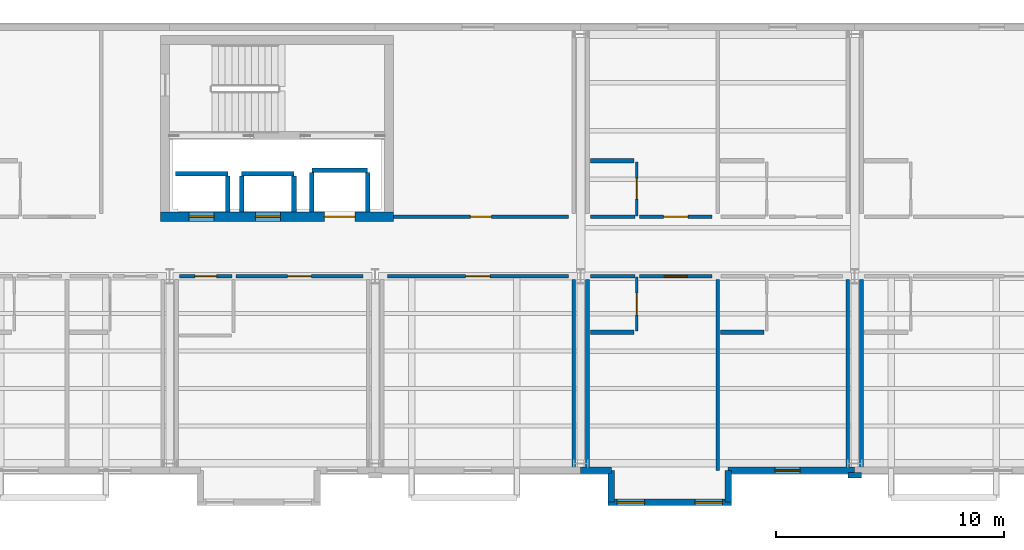
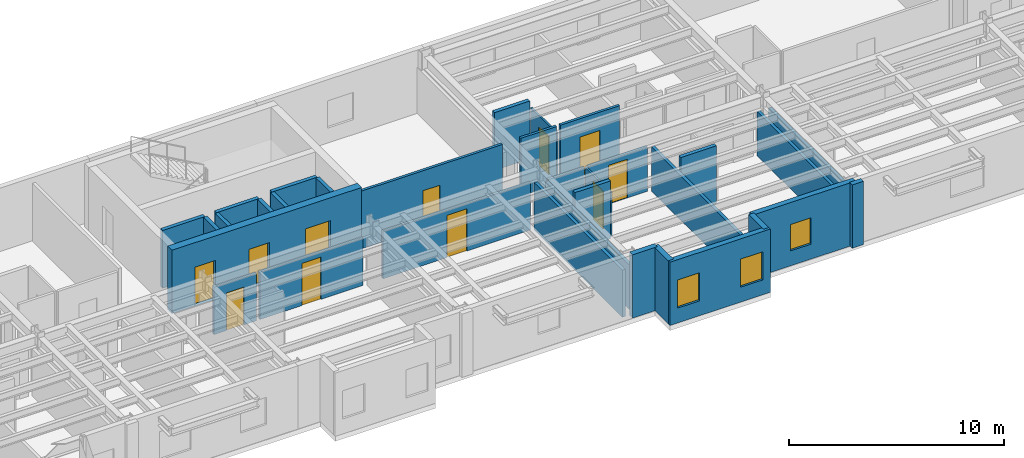
# One storey, part 16 of 27: 33 walls, 11 doors, 3 windows, 14 openings.
"""IFC4 building model written with IfcOpenShell, lengths in metres."""

from ifc_helpers import new_model, si_unit, direction, frame, frame_2d, origin, place, context, subcontext, project, spatial, rectangle, extrude, material, layer, layer_set, type_object, element, fill, save


model = new_model("IFC4")

# Units and contexts
model_context = context("Model", 3, precision=1e-05, world=origin(), true_north=direction((0.0, 1.0)))
body_context = subcontext(model_context, "Body", "Model", "MODEL_VIEW")
ifc_project = project(units=[si_unit("LENGTHUNIT", "METRE"), si_unit("AREAUNIT", "SQUARE_METRE"), si_unit("VOLUMEUNIT", "CUBIC_METRE"), si_unit("PLANEANGLEUNIT", "RADIAN"), si_unit("MASSUNIT", "GRAM", prefix="KILO")], contexts=[model_context])

# Site, building, storey
site_placement = place(None, origin())
site = spatial("IfcSite", under=ifc_project, at=site_placement, CompositionType="ELEMENT")
building_placement = place(site_placement, origin())
building = spatial("IfcBuilding", under=site, at=building_placement, Name="Sollismere Congress Hotel", CompositionType="ELEMENT")
storey_placement = place(building_placement, frame((0.0, 0.0, 27.0)))
storey = spatial("IfcBuildingStorey", under=building, at=storey_placement, Name="L06", CompositionType="ELEMENT", Elevation=27.0)

# Wall
ifc_material_1 = material(Name="Colorado Buff Sandstone Rainscreen on Insulated Backup", Category="masonry")
ifc_layer_1 = layer(ifc_material_1, 0.284912109375, Name="Colorado Buff Sandstone Rainscreen on Insulated Backup")
ifc_layer_set_1 = layer_set([ifc_layer_1], Name="Colorado Buff Sandstone Rainscreen on Insulated Backup")
wall_type_1 = type_object("IfcWallType", Name="WL-EXT285", PredefinedType="STANDARD", material=ifc_layer_set_1)
wall_1_placement = place(storey_placement, frame((112.0, -0.31005859375, 0.0), z_axis=(0.0, 0.0, 1.0), x_axis=(1.0, 0.0, 0.0)))
element("IfcWall", 1, at=wall_1_placement, inside=storey, type_object=wall_type_1, Name="Exterior wall EW-L06-678", PredefinedType="STANDARD", context=body_context, shape_type="SweptSolid", body=[
    extrude(rectangle(XDim=1.340087890625, YDim=0.284912109375, at=frame_2d((0.669921875, 0.0))), origin(), (0.0, 0.0, 1.0), 3.60009765625),
])

# Wall, opening, window
wall_2_placement = place(storey_placement, frame((118.4599609375, -0.31005859375, 0.0), z_axis=(0.0, 0.0, 1.0), x_axis=(1.0, 0.0, 0.0)))
wall_2 = element("IfcWall", 2, at=wall_2_placement, inside=storey, type_object=wall_type_1, Name="Exterior wall EW-L06-679", PredefinedType="STANDARD", context=body_context, shape_type="SweptSolid", body=[
    extrude(rectangle(XDim=5.5400390625, YDim=0.284912109375, at=frame_2d((2.77001953125, 0.0))), origin(), (0.0, 0.0, 1.0), 3.60009765625),
])
opening_1_placement = place(wall_2_placement, frame((2.044921875, 0.0, 0.85009765625)))
opening_1 = element("IfcOpeningElement", 3, at=opening_1_placement, cuts=wall_2, Name="Opening W-L06-502", PredefinedType="OPENING", context=body_context, shape_type="SweptSolid", body=[
    extrude(rectangle(XDim=1.10009765625, YDim=1.5, at=frame_2d((0.550048828125, 0.75))), frame((0.0, 0.15234375, 0.0), z_axis=(0.0, -1.0, 0.0), x_axis=(1.0, 0.0, 0.0)), (0.0, 0.0, 1.0), 0.304931640625),
])
ifc_material_2 = material(Name="Thermally Broken Bronze Aluminum & Low-E Glass", Category="aluminium")
window_type_1 = type_object("IfcWindowType", Name="WN-P110x150", PartitioningType="SINGLE_PANEL", PredefinedType="WINDOW", material=ifc_material_2)
window_1_placement = place(opening_1_placement, origin())
window_1 = element("IfcWindow", 4, at=window_1_placement, inside=storey, type_object=window_type_1, Name="WIN-W-L06-502", OverallHeight=1.5, OverallWidth=1.10009765625, PartitioningType="SINGLE_PANEL", PredefinedType="WINDOW", context=body_context, shape_type="SweptSolid", body=[
    extrude(rectangle(XDim=1.10009765625, YDim=1.5, at=frame_2d((0.550048828125, 0.75))), frame((0.0, 0.030029296875, 0.0), z_axis=(0.0, -1.0, 0.0), x_axis=(1.0, 0.0, 0.0)), (0.0, 0.0, 1.0), 0.06005859375),
])
fill(opening_1, window_1)

# Wall, openings, windows
wall_3_placement = place(storey_placement, frame((113.199951171875, -1.699951171875, 0.0), z_axis=(0.0, 0.0, 1.0), x_axis=(1.0, 0.0, 0.0)))
wall_3 = element("IfcWall", 5, at=wall_3_placement, inside=storey, type_object=wall_type_1, Name="Exterior wall EW-L06-680", PredefinedType="STANDARD", context=body_context, shape_type="SweptSolid", body=[
    extrude(rectangle(XDim=5.400146484375, YDim=0.284912109375, at=frame_2d((2.7001953125, 0.0))), origin(), (0.0, 0.0, 1.0), 3.60009765625),
])
opening_2_placement = place(wall_3_placement, frame((0.39990234375, 0.0, 0.85009765625)))
opening_2 = element("IfcOpeningElement", 6, at=opening_2_placement, cuts=wall_3, Name="Opening W-L06-503", PredefinedType="OPENING", context=body_context, shape_type="SweptSolid", body=[
    extrude(rectangle(XDim=1.199951171875, YDim=1.60009765625, at=frame_2d((0.60009765625, 0.800048828125))), frame((0.0, 0.15234375, 0.0), z_axis=(0.0, -1.0, 0.0), x_axis=(1.0, 0.0, 0.0)), (0.0, 0.0, 1.0), 0.304931640625),
])
opening_3_placement = place(wall_3_placement, frame((3.800048828125, 0.0, 0.85009765625)))
opening_3 = element("IfcOpeningElement", 7, at=opening_3_placement, cuts=wall_3, Name="Opening W-L06-504", PredefinedType="OPENING", context=body_context, shape_type="SweptSolid", body=[
    extrude(rectangle(XDim=1.199951171875, YDim=1.60009765625, at=frame_2d((0.60009765625, 0.800048828125))), frame((0.0, 0.15234375, 0.0), z_axis=(0.0, -1.0, 0.0), x_axis=(1.0, 0.0, 0.0)), (0.0, 0.0, 1.0), 0.304931640625),
])
window_type_2 = type_object("IfcWindowType", Name="WN-P120x160", PartitioningType="SINGLE_PANEL", PredefinedType="WINDOW", material=ifc_material_2)
window_2_placement = place(opening_2_placement, origin())
window_2 = element("IfcWindow", 8, at=window_2_placement, inside=storey, type_object=window_type_2, Name="WIN-W-L06-503", OverallHeight=1.60009765625, OverallWidth=1.199951171875, PartitioningType="SINGLE_PANEL", PredefinedType="WINDOW", context=body_context, shape_type="SweptSolid", body=[
    extrude(rectangle(XDim=1.199951171875, YDim=1.60009765625, at=frame_2d((0.60009765625, 0.800048828125))), frame((0.0, 0.030029296875, 0.0), z_axis=(0.0, -1.0, 0.0), x_axis=(1.0, 0.0, 0.0)), (0.0, 0.0, 1.0), 0.06005859375),
])
fill(opening_2, window_2)
window_3_placement = place(opening_3_placement, origin())
window_3 = element("IfcWindow", 9, at=window_3_placement, inside=storey, type_object=window_type_2, Name="WIN-W-L06-504", OverallHeight=1.60009765625, OverallWidth=1.199951171875, PartitioningType="SINGLE_PANEL", PredefinedType="WINDOW", context=body_context, shape_type="SweptSolid", body=[
    extrude(rectangle(XDim=1.199951171875, YDim=1.60009765625, at=frame_2d((0.60009765625, 0.800048828125))), frame((0.0, 0.030029296875, 0.0), z_axis=(0.0, -1.0, 0.0), x_axis=(1.0, 0.0, 0.0)), (0.0, 0.0, 1.0), 0.06005859375),
])
fill(opening_3, window_3)

# Walls
for number, where, z_axis, x_axis, name in (
    (10, (113.340087890625, -0.31005859375, 0.0), (0.0, 0.0, 1.0), (0.0, -1.0, 0.0), "Exterior wall EW-L06-681"),
    (11, (118.4599609375, -1.699951171875, 0.0), (0.0, 0.0, 1.0), (0.0, 1.0, 0.0), "Exterior wall EW-L06-682"),
):
    element("IfcWall", number, at=place(storey_placement, frame(where, z_axis=z_axis, x_axis=x_axis)), inside=storey, type_object=wall_type_1, Name=name, PredefinedType="STANDARD", context=body_context, shape_type="SweptSolid", body=[
        extrude(rectangle(XDim=1.389892578125, YDim=0.284912109375, at=frame_2d((0.69482421875, 0.0))), origin(), (0.0, 0.0, 1.0), 3.60009765625),
    ])
ifc_material_3 = material(Name="Carved Travertine Pilaster & Frieze Assembly", Category="masonry")
ifc_layer_2 = layer(ifc_material_3, 0.260009765625, Name="Carved Travertine Pilaster & Frieze Assembly")
ifc_layer_set_2 = layer_set([ifc_layer_2], Name="Carved Travertine Pilaster & Frieze Assembly")
wall_type_2 = type_object("IfcWallType", Name="WL-PIL280", PredefinedType="ELEMENTEDWALL", material=ifc_layer_set_2)
wall_4_placement = place(storey_placement, frame((123.699951171875, -0.52001953125, 0.0), z_axis=(0.0, 0.0, 1.0), x_axis=(1.0, 0.0, 0.0)))
element("IfcWall", 12, at=wall_4_placement, inside=storey, type_object=wall_type_2, Name="Exterior wall EW-L06-684", PredefinedType="ELEMENTEDWALL", context=body_context, shape_type="SweptSolid", body=[
    extrude(rectangle(XDim=0.60009765625, YDim=0.260009765625, at=frame_2d((0.300048828125, 0.0))), origin(), (0.0, 0.0, 1.0), 3.60009765625),
])
ifc_material_4 = material(Name="Moisture-Resistant Shaft Gypsum Assembly")
ifc_layer_3 = layer(ifc_material_4, 0.199951171875, Name="Moisture-Resistant Shaft Gypsum Assembly")
ifc_layer_set_3 = layer_set([ifc_layer_3], Name="Moisture-Resistant Shaft Gypsum Assembly")
wall_type_3 = type_object("IfcWallType", Name="WL-PLM200", PredefinedType="PLUMBINGWALL", material=ifc_layer_set_3)
wall_5_placement = place(storey_placement, frame((94.2548828125, 12.68994140625, 0.0), z_axis=(0.0, 0.0, 1.0), x_axis=(1.0, 0.0, 0.0)))
element("IfcWall", 13, at=wall_5_placement, inside=storey, type_object=wall_type_3, Name="Interior wall IW-L06-0305", PredefinedType="PLUMBINGWALL", context=body_context, shape_type="SweptSolid", body=[
    extrude(rectangle(XDim=2.2900390625, YDim=0.199951171875, at=frame_2d((1.14501953125, 0.0))), origin(), (0.0, 0.0, 1.0), 3.2900390625),
])
wall_6_placement = place(storey_placement, frame((96.544921875, 11.011962890625, 0.0), z_axis=(0.0, 0.0, 1.0), x_axis=(0.0, 1.0, 0.0)))
element("IfcWall", 14, at=wall_6_placement, inside=storey, type_object=wall_type_3, Name="Interior wall IW-L06-0306", PredefinedType="PLUMBINGWALL", context=body_context, shape_type="SweptSolid", body=[
    extrude(rectangle(XDim=1.56591796875, YDim=0.199951171875, at=frame_2d((0.782958984375, 0.0))), origin(), (0.0, 0.0, 1.0), 3.2900390625),
])
wall_7_placement = place(storey_placement, frame((97.155029296875, 12.68994140625, 0.0), z_axis=(0.0, 0.0, 1.0), x_axis=(1.0, 0.0, 0.0)))
element("IfcWall", 15, at=wall_7_placement, inside=storey, type_object=wall_type_3, Name="Interior wall IW-L06-0307", PredefinedType="PLUMBINGWALL", context=body_context, shape_type="SweptSolid", body=[
    extrude(rectangle(XDim=2.2900390625, YDim=0.199951171875, at=frame_2d((1.14501953125, 0.0))), origin(), (0.0, 0.0, 1.0), 3.2900390625),
])
for number, where, z_axis, x_axis, name in (
    (16, (97.155029296875, 11.011962890625, 0.0), (0.0, 0.0, 1.0), (0.0, 1.0, 0.0), "Interior wall IW-L06-0308"),
    (17, (99.445068359375, 11.011962890625, 0.0), (0.0, 0.0, 1.0), (0.0, 1.0, 0.0), "Interior wall IW-L06-0309"),
):
    element("IfcWall", number, at=place(storey_placement, frame(where, z_axis=z_axis, x_axis=x_axis)), inside=storey, type_object=wall_type_3, Name=name, PredefinedType="PLUMBINGWALL", context=body_context, shape_type="SweptSolid", body=[
        extrude(rectangle(XDim=1.56591796875, YDim=0.199951171875, at=frame_2d((0.782958984375, 0.0))), origin(), (0.0, 0.0, 1.0), 3.2900390625),
    ])
wall_8_placement = place(storey_placement, frame((100.22998046875, 12.844970703125, 0.0), z_axis=(0.0, 0.0, 1.0), x_axis=(1.0, 0.0, 0.0)))
element("IfcWall", 18, at=wall_8_placement, inside=storey, type_object=wall_type_3, Name="Interior wall IW-L06-0310", PredefinedType="PLUMBINGWALL", context=body_context, shape_type="SweptSolid", body=[
    extrude(rectangle(XDim=2.43994140625, YDim=0.199951171875, at=frame_2d((1.219970703125, 0.0))), origin(), (0.0, 0.0, 1.0), 3.2900390625),
])
for number, where, z_axis, x_axis, name in (
    (19, (100.22998046875, 11.011962890625, 0.0), (0.0, 0.0, 1.0), (0.0, 1.0, 0.0), "Interior wall IW-L06-0311"),
    (20, (102.669921875, 11.011962890625, 0.0), (0.0, 0.0, 1.0), (0.0, 1.0, 0.0), "Interior wall IW-L06-0312"),
):
    element("IfcWall", number, at=place(storey_placement, frame(where, z_axis=z_axis, x_axis=x_axis)), inside=storey, type_object=wall_type_3, Name=name, PredefinedType="PLUMBINGWALL", context=body_context, shape_type="SweptSolid", body=[
        extrude(rectangle(XDim=1.720947265625, YDim=0.199951171875, at=frame_2d((0.8603515625, 0.0))), origin(), (0.0, 0.0, 1.0), 3.2900390625),
    ])
wall_9_placement = place(storey_placement, frame((112.419921875, 5.75, 0.0), z_axis=(0.0, 0.0, 1.0), x_axis=(1.0, 0.0, 0.0)))
element("IfcWall", 21, at=wall_9_placement, inside=storey, type_object=wall_type_3, Name="Interior wall IW-L06-2083", PredefinedType="PLUMBINGWALL", context=body_context, shape_type="SweptSolid", body=[
    extrude(rectangle(XDim=1.91015625, YDim=0.199951171875, at=frame_2d((0.955078125, 0.0))), origin(), (0.0, 0.0, 1.0), 3.2900390625),
])
wall_10_placement = place(storey_placement, frame((118.1201171875, 5.75, 0.0), z_axis=(0.0, 0.0, 1.0), x_axis=(1.0, 0.0, 0.0)))
element("IfcWall", 22, at=wall_10_placement, inside=storey, type_object=wall_type_3, Name="Interior wall IW-L06-2088", PredefinedType="PLUMBINGWALL", context=body_context, shape_type="SweptSolid", body=[
    extrude(rectangle(XDim=1.909912109375, YDim=0.199951171875, at=frame_2d((0.955078125, 0.0))), origin(), (0.0, 0.0, 1.0), 3.2900390625),
])
wall_11_placement = place(storey_placement, frame((112.419921875, 13.25, 0.0), z_axis=(0.0, 0.0, 1.0), x_axis=(1.0, 0.0, 0.0)))
element("IfcWall", 23, at=wall_11_placement, inside=storey, type_object=wall_type_3, Name="Interior wall IW-L06-2094", PredefinedType="PLUMBINGWALL", context=body_context, shape_type="SweptSolid", body=[
    extrude(rectangle(XDim=1.91015625, YDim=0.199951171875, at=frame_2d((0.955078125, 0.0))), origin(), (0.0, 0.0, 1.0), 3.2900390625),
])

# Wall, opening, door
ifc_material_5 = material(Name="Moisture-Resistant Gypsum Partition")
ifc_layer_4 = layer(ifc_material_5, 0.10009765625, Name="Moisture-Resistant Gypsum Partition")
ifc_layer_set_4 = layer_set([ifc_layer_4], Name="Moisture-Resistant Gypsum Partition")
wall_type_4 = type_object("IfcWallType", Name="WL-PRT100", PredefinedType="PARTITIONING", material=ifc_layer_set_4)
wall_12_placement = place(storey_placement, frame((114.449951171875, 5.7900390625, 0.0), z_axis=(0.0, 0.0, 1.0), x_axis=(0.0, 1.0, 0.0)))
wall_12 = element("IfcWall", 24, at=wall_12_placement, inside=storey, type_object=wall_type_4, Name="Interior wall IW-L06-2082", PredefinedType="PARTITIONING", context=body_context, shape_type="SweptSolid", body=[
    extrude(rectangle(XDim=2.369873046875, YDim=0.10009765625, at=frame_2d((1.18505859375, 0.0))), origin(), (0.0, 0.0, 1.0), 2.528076171875),
])
opening_4_placement = place(wall_12_placement, frame((0.7080078125, 0.0, 0.0)))
opening_4 = element("IfcOpeningElement", 25, at=opening_4_placement, cuts=wall_12, Name="Opening D-L06-0735", PredefinedType="OPENING", context=body_context, shape_type="SweptSolid", body=[
    extrude(rectangle(XDim=0.955078125, YDim=2.139892578125, at=frame_2d((0.4775390625, 1.06982421875))), frame((0.0, 0.06005859375, 0.0), z_axis=(0.0, -1.0, 0.0), x_axis=(1.0, 0.0, 0.0)), (0.0, 0.0, 1.0), 0.1201171875),
])
ifc_material_6 = material(Name="Moisture-Sealed Timber Bathroom Door", Category="wood")
door_type_1 = type_object("IfcDoorType", Name="DR-BT04", OperationType="NOTDEFINED", PredefinedType="DOOR", material=ifc_material_6)
door_1_placement = place(opening_4_placement, origin())
door_1 = element("IfcDoor", 26, at=door_1_placement, inside=storey, type_object=door_type_1, Name="En-suite bathroom door D-L06-0735", OperationType="SINGLE_SWING_RIGHT", OverallHeight=2.139892578125, OverallWidth=0.955078125, PredefinedType="DOOR", context=body_context, shape_type="SweptSolid", body=[
    extrude(rectangle(XDim=0.955078125, YDim=2.139892578125, at=frame_2d((0.4775390625, 1.06982421875))), frame((0.0, 0.02490234375, 0.0), z_axis=(0.0, -1.0, 0.0), x_axis=(1.0, 0.0, 0.0)), (0.0, 0.0, 1.0), 0.050048828125),
])
fill(opening_4, door_1)

wall_13_placement = place(storey_placement, frame((114.449951171875, 10.840087890625, 0.0), z_axis=(0.0, 0.0, 1.0), x_axis=(0.0, 1.0, 0.0)))
wall_13 = element("IfcWall", 27, at=wall_13_placement, inside=storey, type_object=wall_type_4, Name="Interior wall IW-L06-2093", PredefinedType="PARTITIONING", context=body_context, shape_type="SweptSolid", body=[
    extrude(rectangle(XDim=2.369873046875, YDim=0.10009765625, at=frame_2d((1.18505859375, 0.0))), origin(), (0.0, 0.0, 1.0), 2.847900390625),
])
opening_5_placement = place(wall_13_placement, frame((0.73291015625, 0.0, 0.0)))
opening_5 = element("IfcOpeningElement", 28, at=opening_5_placement, cuts=wall_13, Name="Opening D-L06-0739", PredefinedType="OPENING", context=body_context, shape_type="SweptSolid", body=[
    extrude(rectangle(XDim=0.905029296875, YDim=2.179931640625, at=frame_2d((0.45263671875, 1.08984375))), frame((0.0, 0.06005859375, 0.0), z_axis=(0.0, -1.0, 0.0), x_axis=(1.0, 0.0, 0.0)), (0.0, 0.0, 1.0), 0.1201171875),
])
door_type_2 = type_object("IfcDoorType", Name="DR-BT06", OperationType="NOTDEFINED", PredefinedType="DOOR", material=ifc_material_6)
door_2_placement = place(opening_5_placement, origin())
door_2 = element("IfcDoor", 29, at=door_2_placement, inside=storey, type_object=door_type_2, Name="En-suite bathroom door D-L06-0739", OperationType="SINGLE_SWING_RIGHT", OverallHeight=2.179931640625, OverallWidth=0.905029296875, PredefinedType="DOOR", context=body_context, shape_type="SweptSolid", body=[
    extrude(rectangle(XDim=0.905029296875, YDim=2.179931640625, at=frame_2d((0.45263671875, 1.08984375))), frame((0.0, 0.02490234375, 0.0), z_axis=(0.0, -1.0, 0.0), x_axis=(1.0, 0.0, 0.0)), (0.0, 0.0, 1.0), 0.050048828125),
])
fill(opening_5, door_2)

# Wall
ifc_material_7 = material(Name="Fire-Rated Gypsum Partition")
ifc_layer_5 = layer(ifc_material_7, 0.139892578125, Name="Fire-Rated Gypsum Partition")
ifc_layer_set_5 = layer_set([ifc_layer_5], Name="Fire-Rated Gypsum Partition")
wall_type_5 = type_object("IfcWallType", Name="WL-PRT140R", PredefinedType="PARTITIONING", material=ifc_layer_set_5)
wall_14_placement = place(storey_placement, frame((112.43994140625, 8.199951171875, 0.0), z_axis=(0.0, 0.0, 1.0), x_axis=(1.0, 0.0, 0.0)))
element("IfcWall", 30, at=wall_14_placement, inside=storey, type_object=wall_type_5, Name="Interior wall IW-L06-2078", PredefinedType="PARTITIONING", context=body_context, shape_type="SweptSolid", body=[
    extrude(rectangle(XDim=1.93017578125, YDim=0.139892578125, at=frame_2d((0.965087890625, 0.0))), origin(), (0.0, 0.0, 1.0), 2.528076171875),
])

# Wall, opening, door
wall_15_placement = place(storey_placement, frame((114.570068359375, 8.199951171875, 0.0), z_axis=(0.0, 0.0, 1.0), x_axis=(1.0, 0.0, 0.0)))
wall_15 = element("IfcWall", 31, at=wall_15_placement, inside=storey, type_object=wall_type_5, Name="Interior wall IW-L06-2079", PredefinedType="PARTITIONING", context=body_context, shape_type="SweptSolid", body=[
    extrude(rectangle(XDim=3.18994140625, YDim=0.139892578125, at=frame_2d((1.594970703125, 0.0))), origin(), (0.0, 0.0, 1.0), 2.528076171875),
])
opening_6_placement = place(wall_15_placement, frame((1.090087890625, 0.0, 0.0)))
opening_6 = element("IfcOpeningElement", 32, at=opening_6_placement, cuts=wall_15, Name="Opening D-L06-0734", PredefinedType="OPENING", context=body_context, shape_type="SweptSolid", body=[
    extrude(rectangle(XDim=1.010009765625, YDim=2.199951171875, at=frame_2d((0.5048828125, 1.10009765625))), frame((0.0, 0.079833984375, 0.0), z_axis=(0.0, -1.0, 0.0), x_axis=(1.0, 0.0, 0.0)), (0.0, 0.0, 1.0), 0.159912109375),
])
ifc_material_8 = material(Name="Solid-Core Acoustic Walnut Guestroom Entry Door")
door_type_3 = type_object("IfcDoorType", Name="DR-KY04", OperationType="NOTDEFINED", PredefinedType="DOOR", material=ifc_material_8)
door_3_placement = place(opening_6_placement, origin())
door_3 = element("IfcDoor", 33, at=door_3_placement, inside=storey, type_object=door_type_3, Name="Hotel room entry door D-L06-0734", OperationType="SINGLE_SWING_LEFT", OverallHeight=2.199951171875, OverallWidth=1.010009765625, PredefinedType="DOOR", context=body_context, shape_type="SweptSolid", body=[
    extrude(rectangle(XDim=1.010009765625, YDim=2.199951171875, at=frame_2d((0.5048828125, 1.10009765625))), frame((0.0, 0.02490234375, 0.0), z_axis=(0.0, -1.0, 0.0), x_axis=(1.0, 0.0, 0.0)), (0.0, 0.0, 1.0), 0.050048828125),
])
fill(opening_6, door_3)

# Wall
wall_16_placement = place(storey_placement, frame((112.43994140625, 10.800048828125, 0.0), z_axis=(0.0, 0.0, 1.0), x_axis=(1.0, 0.0, 0.0)))
element("IfcWall", 34, at=wall_16_placement, inside=storey, type_object=wall_type_5, Name="Interior wall IW-L06-2089", PredefinedType="PARTITIONING", context=body_context, shape_type="SweptSolid", body=[
    extrude(rectangle(XDim=1.93017578125, YDim=0.139892578125, at=frame_2d((0.965087890625, 0.0))), origin(), (0.0, 0.0, 1.0), 3.2900390625),
])

# Wall, opening, door
wall_17_placement = place(storey_placement, frame((114.570068359375, 10.800048828125, 0.0), z_axis=(0.0, 0.0, 1.0), x_axis=(1.0, 0.0, 0.0)))
wall_17 = element("IfcWall", 35, at=wall_17_placement, inside=storey, type_object=wall_type_5, Name="Interior wall IW-L06-2090", PredefinedType="PARTITIONING", context=body_context, shape_type="SweptSolid", body=[
    extrude(rectangle(XDim=3.18994140625, YDim=0.139892578125, at=frame_2d((1.594970703125, 0.0))), origin(), (0.0, 0.0, 1.0), 3.2900390625),
])
opening_7_placement = place(wall_17_placement, frame((1.06005859375, 0.0, 0.0)))
opening_7 = element("IfcOpeningElement", 36, at=opening_7_placement, cuts=wall_17, Name="Opening D-L06-0738", PredefinedType="OPENING", context=body_context, shape_type="SweptSolid", body=[
    extrude(rectangle(XDim=1.070068359375, YDim=2.25, at=frame_2d((0.53515625, 1.125))), frame((0.0, 0.079833984375, 0.0), z_axis=(0.0, -1.0, 0.0), x_axis=(1.0, 0.0, 0.0)), (0.0, 0.0, 1.0), 0.159912109375),
])
door_type_4 = type_object("IfcDoorType", Name="DR-KY06", OperationType="NOTDEFINED", PredefinedType="DOOR", material=ifc_material_8)
door_4_placement = place(opening_7_placement, origin())
door_4 = element("IfcDoor", 37, at=door_4_placement, inside=storey, type_object=door_type_4, Name="Hotel room entry door D-L06-0738", OperationType="SINGLE_SWING_LEFT", OverallHeight=2.25, OverallWidth=1.070068359375, PredefinedType="DOOR", context=body_context, shape_type="SweptSolid", body=[
    extrude(rectangle(XDim=1.070068359375, YDim=2.25, at=frame_2d((0.53515625, 1.125))), frame((0.0, 0.02490234375, 0.0), z_axis=(0.0, -1.0, 0.0), x_axis=(1.0, 0.0, 0.0)), (0.0, 0.0, 1.0), 0.050048828125),
])
fill(opening_7, door_4)

wall_18_placement = place(storey_placement, frame((94.43994140625, 8.199951171875, 0.0), z_axis=(0.0, 0.0, 1.0), x_axis=(1.0, 0.0, 0.0)))
wall_18 = element("IfcWall", 38, at=wall_18_placement, inside=storey, type_object=wall_type_5, Name="Interior wall IW-L06-2188", PredefinedType="PARTITIONING", context=body_context, shape_type="SweptSolid", body=[
    extrude(rectangle(XDim=2.280029296875, YDim=0.139892578125, at=frame_2d((1.14013671875, 0.0))), origin(), (0.0, 0.0, 1.0), 2.702880859375),
])
opening_8_placement = place(wall_18_placement, frame((0.659912109375, 0.0, 0.0)))
opening_8 = element("IfcOpeningElement", 39, at=opening_8_placement, cuts=wall_18, Name="Opening D-L06-0772", PredefinedType="OPENING", context=body_context, shape_type="SweptSolid", body=[
    extrude(rectangle(XDim=0.9599609375, YDim=2.14990234375, at=frame_2d((0.47998046875, 1.074951171875))), frame((0.0, 0.079833984375, 0.0), z_axis=(0.0, -1.0, 0.0), x_axis=(1.0, 0.0, 0.0)), (0.0, 0.0, 1.0), 0.159912109375),
])
ifc_material_9 = material(Name="Fire-Rated Accessible Restroom Door")
door_type_5 = type_object("IfcDoorType", Name="DR-AWC01", OperationType="NOTDEFINED", PredefinedType="DOOR", material=ifc_material_9)
door_5_placement = place(opening_8_placement, origin())
door_5 = element("IfcDoor", 40, at=door_5_placement, inside=storey, type_object=door_type_5, Name="Accessible restroom door D-L06-0772", OperationType="SINGLE_SWING_LEFT", OverallHeight=2.14990234375, OverallWidth=0.9599609375, PredefinedType="DOOR", context=body_context, shape_type="SweptSolid", body=[
    extrude(rectangle(XDim=0.9599609375, YDim=2.14990234375, at=frame_2d((0.47998046875, 1.074951171875))), frame((0.0, 0.02490234375, 0.0), z_axis=(0.0, -1.0, 0.0), x_axis=(1.0, 0.0, 0.0)), (0.0, 0.0, 1.0), 0.050048828125),
])
fill(opening_8, door_5)

wall_19_placement = place(storey_placement, frame((96.89990234375, 8.199951171875, 0.0), z_axis=(0.0, 0.0, 1.0), x_axis=(1.0, 0.0, 0.0)))
wall_19 = element("IfcWall", 41, at=wall_19_placement, inside=storey, type_object=wall_type_5, Name="Interior wall IW-L06-2191", PredefinedType="PARTITIONING", context=body_context, shape_type="SweptSolid", body=[
    extrude(rectangle(XDim=5.56005859375, YDim=0.139892578125, at=frame_2d((2.780029296875, 0.0))), origin(), (0.0, 0.0, 1.0), 2.702880859375),
])
opening_9_placement = place(wall_19_placement, frame((2.260009765625, 0.0, 0.0)))
opening_9 = element("IfcOpeningElement", 42, at=opening_9_placement, cuts=wall_19, Name="Opening D-L06-0773", PredefinedType="OPENING", context=body_context, shape_type="SweptSolid", body=[
    extrude(rectangle(XDim=1.0400390625, YDim=2.39990234375, at=frame_2d((0.52001953125, 1.199951171875))), frame((0.0, 0.079833984375, 0.0), z_axis=(0.0, -1.0, 0.0), x_axis=(1.0, 0.0, 0.0)), (0.0, 0.0, 1.0), 0.159912109375),
])
door_type_6 = type_object("IfcDoorType", Name="DR-KY11", OperationType="NOTDEFINED", PredefinedType="DOOR", material=ifc_material_8)
door_6_placement = place(opening_9_placement, origin())
door_6 = element("IfcDoor", 43, at=door_6_placement, inside=storey, type_object=door_type_6, Name="Hotel room entry door D-L06-0773", OperationType="SINGLE_SWING_RIGHT", OverallHeight=2.39990234375, OverallWidth=1.0400390625, PredefinedType="DOOR", context=body_context, shape_type="SweptSolid", body=[
    extrude(rectangle(XDim=1.0400390625, YDim=2.39990234375, at=frame_2d((0.52001953125, 1.199951171875))), frame((0.0, 0.02490234375, 0.0), z_axis=(0.0, -1.0, 0.0), x_axis=(1.0, 0.0, 0.0)), (0.0, 0.0, 1.0), 0.050048828125),
])
fill(opening_9, door_6)

wall_20_placement = place(storey_placement, frame((103.5400390625, 8.199951171875, 0.0), z_axis=(0.0, 0.0, 1.0), x_axis=(1.0, 0.0, 0.0)))
wall_20 = element("IfcWall", 44, at=wall_20_placement, inside=storey, type_object=wall_type_5, Name="Interior wall IW-L06-2194", PredefinedType="PARTITIONING", context=body_context, shape_type="SweptSolid", body=[
    extrude(rectangle(XDim=7.919921875, YDim=0.139892578125, at=frame_2d((3.9599609375, 0.0))), origin(), (0.0, 0.0, 1.0), 2.702880859375),
])
opening_10_placement = place(wall_20_placement, frame((3.425048828125, 0.0, 0.0)))
opening_10 = element("IfcOpeningElement", 45, at=opening_10_placement, cuts=wall_20, Name="Opening D-L06-0774", PredefinedType="OPENING", context=body_context, shape_type="SweptSolid", body=[
    extrude(rectangle(XDim=1.070068359375, YDim=2.39990234375, at=frame_2d((0.53515625, 1.199951171875))), frame((0.0, 0.079833984375, 0.0), z_axis=(0.0, -1.0, 0.0), x_axis=(1.0, 0.0, 0.0)), (0.0, 0.0, 1.0), 0.159912109375),
])
door_type_7 = type_object("IfcDoorType", Name="DR-KY12", OperationType="NOTDEFINED", PredefinedType="DOOR", material=ifc_material_8)
door_7_placement = place(opening_10_placement, origin())
door_7 = element("IfcDoor", 46, at=door_7_placement, inside=storey, type_object=door_type_7, Name="Hotel room entry door D-L06-0774", OperationType="SINGLE_SWING_LEFT", OverallHeight=2.39990234375, OverallWidth=1.070068359375, PredefinedType="DOOR", context=body_context, shape_type="SweptSolid", body=[
    extrude(rectangle(XDim=1.070068359375, YDim=2.39990234375, at=frame_2d((0.53515625, 1.199951171875))), frame((0.0, 0.02490234375, 0.0), z_axis=(0.0, -1.0, 0.0), x_axis=(1.0, 0.0, 0.0)), (0.0, 0.0, 1.0), 0.050048828125),
])
fill(opening_10, door_7)

wall_21_placement = place(storey_placement, frame((103.800048828125, 10.800048828125, 0.0), z_axis=(0.0, 0.0, 1.0), x_axis=(1.0, 0.0, 0.0)))
wall_21 = element("IfcWall", 47, at=wall_21_placement, inside=storey, type_object=wall_type_5, Name="Interior wall IW-L06-2197", PredefinedType="PARTITIONING", context=body_context, shape_type="SweptSolid", body=[
    extrude(rectangle(XDim=7.659912109375, YDim=0.139892578125, at=frame_2d((3.830078125, 0.0))), origin(), (0.0, 0.0, 1.0), 3.2900390625),
])
opening_11_placement = place(wall_21_placement, frame((3.3701171875, 0.0, 0.0)))
opening_11 = element("IfcOpeningElement", 48, at=opening_11_placement, cuts=wall_21, Name="Opening D-L06-0775", PredefinedType="OPENING", context=body_context, shape_type="SweptSolid", body=[
    extrude(rectangle(XDim=0.919921875, YDim=2.14990234375, at=frame_2d((0.4599609375, 1.074951171875))), frame((0.0, 0.079833984375, 0.0), z_axis=(0.0, -1.0, 0.0), x_axis=(1.0, 0.0, 0.0)), (0.0, 0.0, 1.0), 0.159912109375),
])
door_type_8 = type_object("IfcDoorType", Name="DR-KY01", OperationType="NOTDEFINED", PredefinedType="DOOR", material=ifc_material_8)
door_8_placement = place(opening_11_placement, origin())
door_8 = element("IfcDoor", 49, at=door_8_placement, inside=storey, type_object=door_type_8, Name="Hotel room entry door D-L06-0775", OperationType="SINGLE_SWING_RIGHT", OverallHeight=2.14990234375, OverallWidth=0.919921875, PredefinedType="DOOR", context=body_context, shape_type="SweptSolid", body=[
    extrude(rectangle(XDim=0.919921875, YDim=2.14990234375, at=frame_2d((0.4599609375, 1.074951171875))), frame((0.0, 0.02490234375, 0.0), z_axis=(0.0, -1.0, 0.0), x_axis=(1.0, 0.0, 0.0)), (0.0, 0.0, 1.0), 0.050048828125),
])
fill(opening_11, door_8)

# Walls
ifc_material_10 = material(Name="Fire-Rated Acoustic Gypsum Partition")
ifc_layer_6 = layer(ifc_material_10, 0.1650390625, Name="Fire-Rated Acoustic Gypsum Partition")
ifc_layer_set_6 = layer_set([ifc_layer_6], Name="Fire-Rated Acoustic Gypsum Partition")
wall_type_6 = type_object("IfcWallType", Name="WL-PRT165R", PredefinedType="PARTITIONING", material=ifc_layer_set_6)
wall_22_placement = place(storey_placement, frame((112.300048828125, -0.152587890625, 0.0), z_axis=(0.0, 0.0, 1.0), x_axis=(0.0, 1.0, 0.0)))
element("IfcWall", 50, at=wall_22_placement, inside=storey, type_object=wall_type_6, Name="Interior wall IW-L06-2080", PredefinedType="PARTITIONING", context=body_context, shape_type="SweptSolid", body=[
    extrude(rectangle(XDim=8.212646484375, YDim=0.1650390625, at=frame_2d((4.1064453125, 0.0))), origin(), (0.0, 0.0, 1.0), 2.528076171875),
])
wall_23_placement = place(storey_placement, frame((118.0, -0.31005859375, 0.0), z_axis=(0.0, 0.0, 1.0), x_axis=(0.0, 1.0, 0.0)))
element("IfcWall", 51, at=wall_23_placement, inside=storey, type_object=wall_type_6, Name="Interior wall IW-L06-2081", PredefinedType="PARTITIONING", context=body_context, shape_type="SweptSolid", body=[
    extrude(rectangle(XDim=8.3701171875, YDim=0.1650390625, at=frame_2d((4.18505859375, 0.0))), origin(), (0.0, 0.0, 1.0), 2.528076171875),
])
for number, where, z_axis, x_axis, name in (
    (52, (123.699951171875, -0.152587890625, 0.0), (0.0, 0.0, 1.0), (0.0, 1.0, 0.0), "Interior wall IW-L06-2086"),
    (53, (124.300048828125, -0.152587890625, 0.0), (0.0, 0.0, 1.0), (0.0, 1.0, 0.0), "Interior wall IW-L06-2102"),
):
    element("IfcWall", number, at=place(storey_placement, frame(where, z_axis=z_axis, x_axis=x_axis)), inside=storey, type_object=wall_type_6, Name=name, PredefinedType="PARTITIONING", context=body_context, shape_type="SweptSolid", body=[
        extrude(rectangle(XDim=8.212646484375, YDim=0.1650390625, at=frame_2d((4.1064453125, 0.0))), origin(), (0.0, 0.0, 1.0), 2.528076171875),
    ])
wall_24_placement = place(storey_placement, frame((111.699951171875, -0.152587890625, 0.0), z_axis=(0.0, 0.0, 1.0), x_axis=(0.0, 1.0, 0.0)))
element("IfcWall", 54, at=wall_24_placement, inside=storey, type_object=wall_type_6, Name="Interior wall IW-L06-2196", PredefinedType="PARTITIONING", context=body_context, shape_type="SweptSolid", body=[
    extrude(rectangle(XDim=8.212646484375, YDim=0.1650390625, at=frame_2d((4.1064453125, 0.0))), origin(), (0.0, 0.0, 1.0), 2.679931640625),
])

# Wall, openings, doors
ifc_material_11 = material(Name="Concrete C50/60", Category="concrete")
ifc_layer_7 = layer(ifc_material_11, 0.39990234375, Name="Concrete C50/60")
ifc_layer_set_7 = layer_set([ifc_layer_7], Name="Concrete C50/60")
wall_type_7 = type_object("IfcWallType", Name="WL-SHR400", PredefinedType="SHEAR", material=ifc_layer_set_7)
wall_25_placement = place(storey_placement, frame((93.60009765625, 10.800048828125, 0.0), z_axis=(0.0, 0.0, 1.0), x_axis=(1.0, 0.0, 0.0)))
wall_25 = element("IfcWall", 55, at=wall_25_placement, inside=storey, type_object=wall_type_7, Name="Interior wall IW-L06-0300", PredefinedType="SHEAR", context=body_context, shape_type="SweptSolid", body=[
    extrude(rectangle(XDim=10.199951171875, YDim=0.39990234375, at=frame_2d((5.10009765625, 0.0))), origin(), (0.0, 0.0, 1.0), 3.60009765625),
])
opening_12_placement = place(wall_25_placement, frame((1.25, 0.0, 0.0)))
opening_12 = element("IfcOpeningElement", 56, at=opening_12_placement, cuts=wall_25, Name="Opening LD-LP-03-L06", PredefinedType="OPENING", context=body_context, shape_type="SweptSolid", body=[
    extrude(rectangle(XDim=1.10009765625, YDim=2.199951171875, at=frame_2d((0.550048828125, 1.10009765625))), frame((0.0, 0.2099609375, 0.0), z_axis=(0.0, -1.0, 0.0), x_axis=(1.0, 0.0, 0.0)), (0.0, 0.0, 1.0), 0.419921875),
])
opening_13_placement = place(wall_25_placement, frame((4.14990234375, 0.0, 0.0)))
opening_13 = element("IfcOpeningElement", 57, at=opening_13_placement, cuts=wall_25, Name="Opening LD-LP-04-L06", PredefinedType="OPENING", context=body_context, shape_type="SweptSolid", body=[
    extrude(rectangle(XDim=1.10009765625, YDim=2.199951171875, at=frame_2d((0.550048828125, 1.10009765625))), frame((0.0, 0.2099609375, 0.0), z_axis=(0.0, -1.0, 0.0), x_axis=(1.0, 0.0, 0.0)), (0.0, 0.0, 1.0), 0.419921875),
])
opening_14_placement = place(wall_25_placement, frame((7.175048828125, 0.0, 0.0)))
opening_14 = element("IfcOpeningElement", 58, at=opening_14_placement, cuts=wall_25, Name="Opening LD-LS-01-L06", PredefinedType="OPENING", context=body_context, shape_type="SweptSolid", body=[
    extrude(rectangle(XDim=1.35009765625, YDim=2.300048828125, at=frame_2d((0.675048828125, 1.14990234375))), frame((0.0, 0.2099609375, 0.0), z_axis=(0.0, -1.0, 0.0), x_axis=(1.0, 0.0, 0.0)), (0.0, 0.0, 1.0), 0.419921875),
])
ifc_material_12 = material(Name="Brushed Bronze Sliding Elevator Landing Door")
door_type_9 = type_object("IfcDoorType", Name="DR-LD110", OperationType="NOTDEFINED", PredefinedType="DOOR", material=ifc_material_12)
door_9_placement = place(opening_12_placement, origin())
door_9 = element("IfcDoor", 59, at=door_9_placement, inside=storey, type_object=door_type_9, Name="Elevator landing door LD-LP-03-L06", OperationType="SLIDING_TO_LEFT", OverallHeight=2.199951171875, OverallWidth=1.10009765625, PredefinedType="DOOR", context=body_context, shape_type="SweptSolid", body=[
    extrude(rectangle(XDim=1.10009765625, YDim=2.199951171875, at=frame_2d((0.550048828125, 1.10009765625))), frame((0.0, 0.02490234375, 0.0), z_axis=(0.0, -1.0, 0.0), x_axis=(1.0, 0.0, 0.0)), (0.0, 0.0, 1.0), 0.050048828125),
])
fill(opening_12, door_9)
door_10_placement = place(opening_13_placement, origin())
door_10 = element("IfcDoor", 60, at=door_10_placement, inside=storey, type_object=door_type_9, Name="Elevator landing door LD-LP-04-L06", OperationType="SLIDING_TO_RIGHT", OverallHeight=2.199951171875, OverallWidth=1.10009765625, PredefinedType="DOOR", context=body_context, shape_type="SweptSolid", body=[
    extrude(rectangle(XDim=1.10009765625, YDim=2.199951171875, at=frame_2d((0.550048828125, 1.10009765625))), frame((0.0, 0.02490234375, 0.0), z_axis=(0.0, -1.0, 0.0), x_axis=(1.0, 0.0, 0.0)), (0.0, 0.0, 1.0), 0.050048828125),
])
fill(opening_13, door_10)
ifc_material_13 = material(Name="Heavy-Duty Stainless Sliding Service Landing Door")
door_type_10 = type_object("IfcDoorType", Name="DR-LD135", OperationType="NOTDEFINED", PredefinedType="DOOR", material=ifc_material_13)
door_11_placement = place(opening_14_placement, origin())
door_11 = element("IfcDoor", 61, at=door_11_placement, inside=storey, type_object=door_type_10, Name="Elevator landing door LD-LS-01-L06", OperationType="SLIDING_TO_LEFT", OverallHeight=2.300048828125, OverallWidth=1.35009765625, PredefinedType="DOOR", context=body_context, shape_type="SweptSolid", body=[
    extrude(rectangle(XDim=1.35009765625, YDim=2.300048828125, at=frame_2d((0.675048828125, 1.14990234375))), frame((0.0, 0.02490234375, 0.0), z_axis=(0.0, -1.0, 0.0), x_axis=(1.0, 0.0, 0.0)), (0.0, 0.0, 1.0), 0.050048828125),
])
fill(opening_14, door_11)

save(model, "model.ifc")
